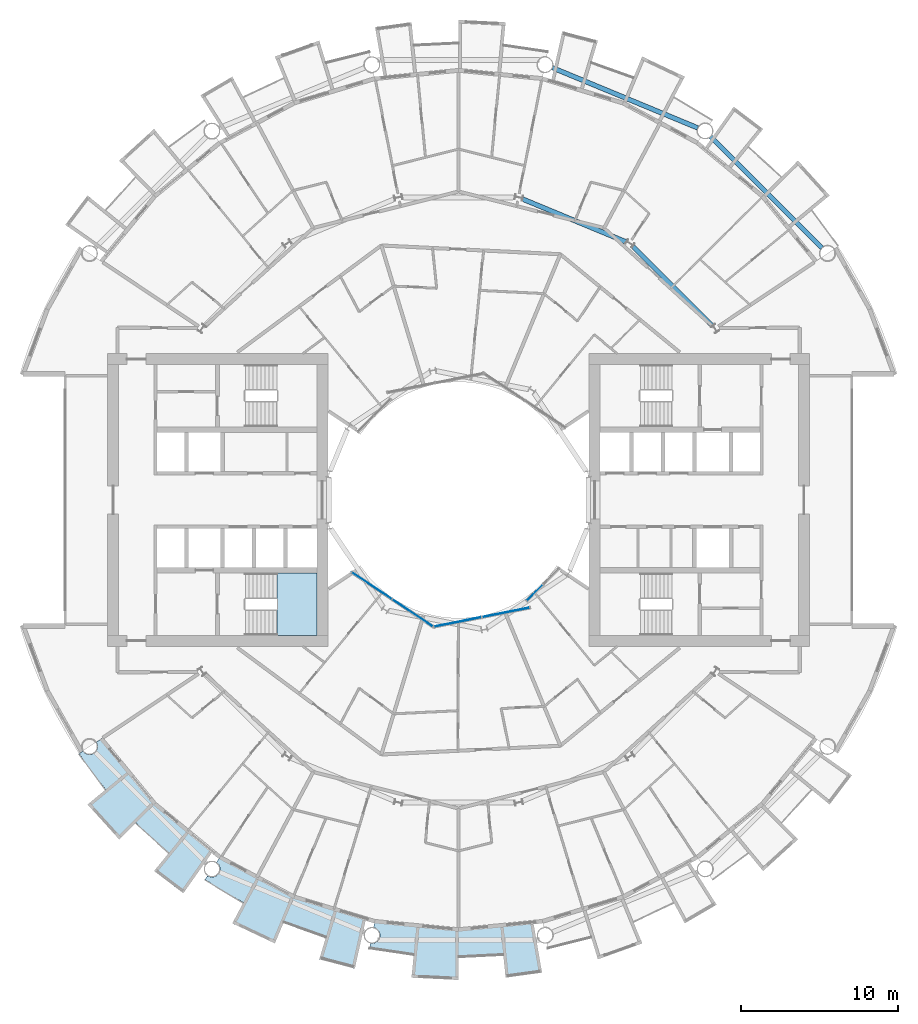
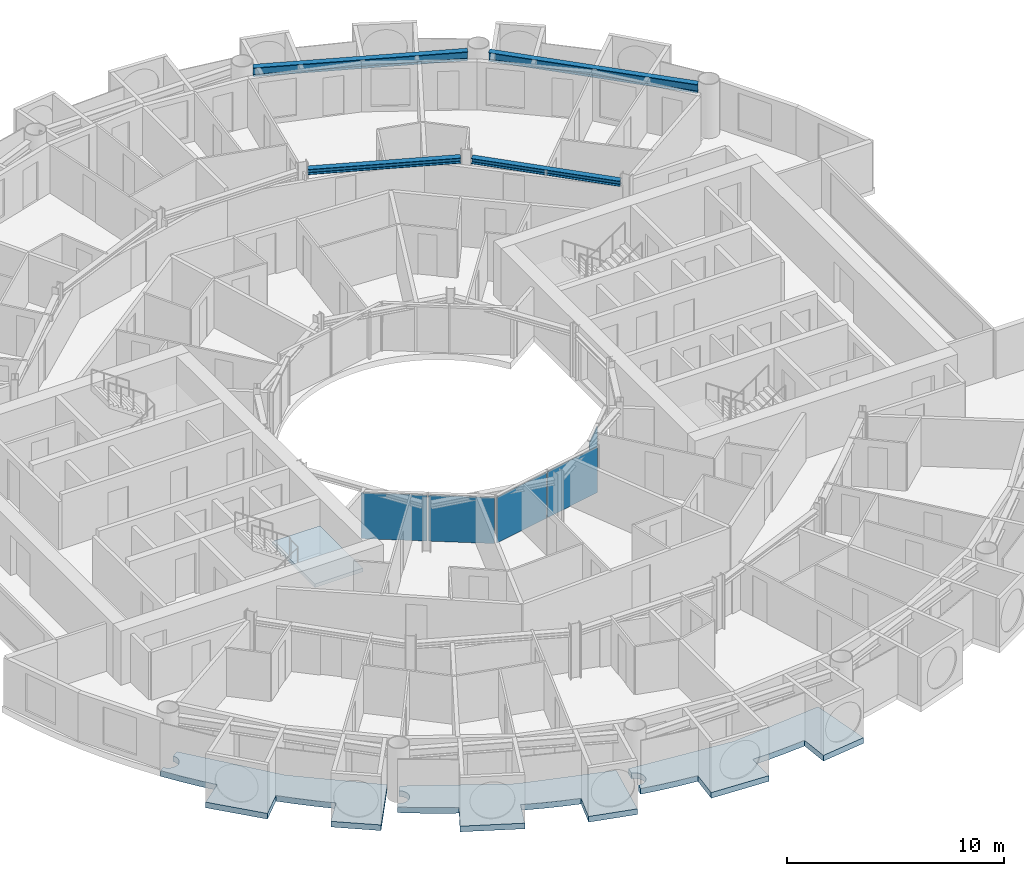
# One storey, part 9 of 26: 5 plates, 4 beams, 4 slabs, 4 elements without a shape of their own.
"""IFC4 building model written with IfcOpenShell, lengths in metres."""

from ifc_helpers import new_model, si_unit, direction, frame, origin, origin_2d, place, context, subcontext, project, spatial, polyline, rectangle, i_section, outline, extrude, material, layer, layer_set, material_profile, profile_set, type_object, element, aggregate, save


model = new_model("IFC4")

# Units and contexts
model_context = context("Model", 3, precision=1e-05, world=origin(), true_north=direction((0.0, 1.0)))
body_context = subcontext(model_context, "Body", "Model", "MODEL_VIEW")
ifc_project = project(units=[si_unit("LENGTHUNIT", "METRE"), si_unit("AREAUNIT", "SQUARE_METRE"), si_unit("VOLUMEUNIT", "CUBIC_METRE"), si_unit("PLANEANGLEUNIT", "RADIAN"), si_unit("MASSUNIT", "GRAM", prefix="KILO")], contexts=[model_context])

# Site, building, storey
site_placement = place(None, origin())
site = spatial("IfcSite", under=ifc_project, at=site_placement, CompositionType="ELEMENT")
building_placement = place(site_placement, origin())
building = spatial("IfcBuilding", under=site, at=building_placement, Name="Maasbend Ring Residences", CompositionType="ELEMENT")
storey_placement = place(building_placement, frame((0.0, 0.0, 81.89990234375)))
storey = spatial("IfcBuildingStorey", under=building, at=storey_placement, Name="L23", CompositionType="ELEMENT", Elevation=81.89990234375)

# Beams
ifc_material_1 = material(Name="Steel S355J2", Category="steel")
ifc_material_profile_1 = material_profile(ifc_material_1, i_section(OverallWidth=0.300048828125, OverallDepth=0.300048828125, WebThickness=0.010986328125, FlangeThickness=0.01904296875, FilletRadius=0.027099609375, at=origin_2d()), Name="HEB 300")
ifc_profile_set_1 = profile_set([ifc_material_profile_1], Name="Steel S355J2")
beam_type_1 = type_object("IfcBeamType", Name="Corridor ring beam HEB 300", PredefinedType="BEAM", material=ifc_profile_set_1)
for number, where, z_axis, x_axis, name in (
    (1, (16.10791015625, 11.078125, 2.550048828125), (-0.707106781187, 0.707106781187, 0.0), (-0.707106781187, -0.707106781187, 0.0), "Corridor ring beam"),
    (2, (10.642333984375, 16.39892578125, 2.550048828125), (-0.923877113721, 0.382689271788, 0.0), (-0.382689271788, -0.923877113721, 0.0), "Corridor ring beam"),
):
    element("IfcBeam", number, at=place(storey_placement, frame(where, z_axis=z_axis, x_axis=x_axis)), inside=storey, type_object=beam_type_1, Name=name, PredefinedType="BEAM", context=body_context, shape_type="SweptSolid", body=[
        extrude(i_section(OverallWidth=0.300048828125, OverallDepth=0.300048828125, WebThickness=0.010986328125, FlangeThickness=0.01904296875, FilletRadius=0.027099609375, at=origin_2d()), origin(), (0.0, 0.0, 1.0), 7.11328125),
    ])
ifc_material_2 = material(Name="Steel S355J2", Category="steel")
ifc_material_profile_2 = material_profile(ifc_material_2, i_section(OverallWidth=0.300048828125, OverallDepth=0.5, WebThickness=0.014404296875, FlangeThickness=0.028076171875, FilletRadius=0.027099609375, at=origin_2d()), Name="HEB 500")
ifc_profile_set_2 = profile_set([ifc_material_profile_2], Name="Steel S355J2")
beam_type_2 = type_object("IfcBeamType", Name="Spandrel ring beam HEB 500", PredefinedType="SPANDREL", material=ifc_profile_set_2)
beam_1_placement = place(storey_placement, frame((23.088134765625, 16.0263671875, 2.4501953125), z_axis=(-0.707106781187, 0.707106781187, 0.0), x_axis=(-0.707106781187, -0.707106781187, 0.0)))
element("IfcBeam", 3, at=beam_1_placement, inside=storey, type_object=beam_type_2, Name="Spandrel ring beam", PredefinedType="SPANDREL", context=body_context, shape_type="SweptSolid", body=[
    extrude(i_section(OverallWidth=0.300048828125, OverallDepth=0.5, WebThickness=0.014404296875, FlangeThickness=0.028076171875, FilletRadius=0.027099609375, at=origin_2d()), origin(), (0.0, 0.0, 1.0), 9.98681640625),
])
beam_2_placement = place(storey_placement, frame((15.19775390625, 23.641845703125, 2.4501953125), z_axis=(-0.923886337442, 0.382667003395, 0.0), x_axis=(-0.382667003395, -0.923886337442, 0.0)))
element("IfcBeam", 4, at=beam_2_placement, inside=storey, type_object=beam_type_2, Name="Spandrel ring beam", PredefinedType="SPANDREL", context=body_context, shape_type="SweptSolid", body=[
    extrude(i_section(OverallWidth=0.300048828125, OverallDepth=0.5, WebThickness=0.014404296875, FlangeThickness=0.028076171875, FilletRadius=0.027099609375, at=origin_2d()), origin(), (0.0, 0.0, 1.0), 9.9873046875),
])

# Stair, slab
ifc_material_3 = material(Name="Concrete C40/50", Category="concrete")
stair_type = type_object("IfcStairType", Name="CORE STAIR 18 RISERS", PredefinedType="HALF_TURN_STAIR", material=ifc_material_3)
stair_placement = place(storey_placement, origin())
stair = element("IfcStair", 5, at=stair_placement, inside=storey, type_object=stair_type, Name="L23 Exit stair ST-W1", PredefinedType="HALF_TURN_STAIR")
ifc_material_4 = material(Name="Concrete C40/50", Category="concrete")
ifc_layer_1 = layer(ifc_material_4, 0.199951171875)
ifc_layer_set_1 = layer_set([ifc_layer_1], Name="Concrete C40/50")
slab_type_1 = type_object("IfcSlabType", Name="CORE STAIR LANDING 200", PredefinedType="LANDING", material=ifc_layer_set_1)
slab_1_placement = place(storey_placement, frame((0.0, 0.0, 1.3251953125)))
slab_1 = element("IfcSlab", 6, at=slab_1_placement, type_object=slab_type_1, Name="ST-W1 landing 1", PredefinedType="LANDING", context=body_context, shape_type="SweptSolid", body=[
    extrude(outline(polyline([(-11.550048828125, -8.60009765625), (-9.0, -8.60009765625), (-9.0, -4.64990234375), (-11.550048828125, -4.64990234375), (-11.550048828125, -8.60009765625)])), origin(), (0.0, 0.0, 1.0), 0.199951171875),
])
aggregate(stair, [slab_1])

# Curtain wall, plates
ifc_material_5 = material(Name="Aluminium and clear glass", Category="aluminium")
ifc_layer_2 = layer(ifc_material_5, 0.179931640625)
ifc_layer_set_2 = layer_set([ifc_layer_2], Name="CW-W")
curtain_wall_type = type_object("IfcCurtainWallType", Name="CW-W", PredefinedType="NOTDEFINED", material=ifc_layer_set_2)
curtain_wall_1_placement = place(storey_placement, origin())
curtain_wall_1 = element("IfcCurtainWall", 7, at=curtain_wall_1_placement, inside=storey, type_object=curtain_wall_type, Name="Well curtain wall S1", PredefinedType="NOTDEFINED")
ifc_material_6 = material(Name="Glass clear laminated", Category="glass")
ifc_layer_3 = layer(ifc_material_6, 0.031982421875)
ifc_layer_set_3 = layer_set([ifc_layer_3], Name="CWP-W")
plate_type = type_object("IfcPlateType", Name="CWP-W", PredefinedType="CURTAIN_PANEL", material=ifc_layer_set_3)
plate_1_placement = place(storey_placement, frame((-5.51123046875, -5.44580078125, 0.0), z_axis=(0.0, 0.0, 1.0), x_axis=(0.831469612303, -0.55557023302, 0.0)))
plate_1 = element("IfcPlate", 8, at=plate_1_placement, type_object=plate_type, Name="Glass panel well face", PredefinedType="CURTAIN_PANEL", context=body_context, shape_type="SweptSolid", body=[
    extrude(rectangle(XDim=3.053955078125, YDim=0.031982421875, at=origin_2d()), origin(), (0.0, 0.0, 1.0), 2.580078125),
])
plate_2_placement = place(storey_placement, frame((-2.922119140625, -7.17578125, 0.0), z_axis=(0.0, 0.0, 1.0), x_axis=(0.831469612303, -0.55557023302, 0.0)))
plate_2 = element("IfcPlate", 9, at=plate_2_placement, type_object=plate_type, Name="Glass panel well face", PredefinedType="CURTAIN_PANEL", context=body_context, shape_type="SweptSolid", body=[
    extrude(rectangle(XDim=3.053955078125, YDim=0.031982421875, at=origin_2d()), origin(), (0.0, 0.0, 1.0), 2.580078125),
])
aggregate(curtain_wall_1, [plate_1, plate_2])

curtain_wall_2_placement = place(storey_placement, origin())
curtain_wall_2 = element("IfcCurtainWall", 10, at=curtain_wall_2_placement, inside=storey, type_object=curtain_wall_type, Name="Well curtain wall S2", PredefinedType="NOTDEFINED")
plate_3_placement = place(storey_placement, frame((-0.04638671875, -7.747802734375, 0.0), z_axis=(0.0, 0.0, 1.0), x_axis=(0.980785280403, 0.195090322016, 0.0)))
plate_3 = element("IfcPlate", 11, at=plate_3_placement, type_object=plate_type, Name="Glass panel well face", PredefinedType="CURTAIN_PANEL", context=body_context, shape_type="SweptSolid", body=[
    extrude(rectangle(XDim=3.053955078125, YDim=0.031982421875, at=origin_2d()), origin(), (0.0, 0.0, 1.0), 2.580078125),
])
plate_4_placement = place(storey_placement, frame((3.0078125, -7.140380859375, 0.0), z_axis=(0.0, 0.0, 1.0), x_axis=(0.980785280403, 0.195090322016, 0.0)))
plate_4 = element("IfcPlate", 12, at=plate_4_placement, type_object=plate_type, Name="Glass panel well face", PredefinedType="CURTAIN_PANEL", context=body_context, shape_type="SweptSolid", body=[
    extrude(rectangle(XDim=3.053955078125, YDim=0.031982421875, at=origin_2d()), origin(), (0.0, 0.0, 1.0), 2.580078125),
])
aggregate(curtain_wall_2, [plate_3, plate_4])

# Curtain wall, plate
curtain_wall_3_placement = place(storey_placement, origin())
curtain_wall_3 = element("IfcCurtainWall", 13, at=curtain_wall_3_placement, inside=storey, type_object=curtain_wall_type, Name="Well curtain wall S3", PredefinedType="NOTDEFINED")
plate_5_placement = place(storey_placement, frame((4.84375, -5.89013671875, 0.0), z_axis=(0.0, 0.0, 1.0), x_axis=(0.707106781187, 0.707106781187, 0.0)))
plate_5 = element("IfcPlate", 14, at=plate_5_placement, type_object=plate_type, Name="Glass panel well face", PredefinedType="CURTAIN_PANEL", context=body_context, shape_type="SweptSolid", body=[
    extrude(rectangle(XDim=1.419677734375, YDim=0.031982421875, at=origin_2d()), origin(), (0.0, 0.0, 1.0), 2.580078125),
])
aggregate(curtain_wall_3, [plate_5])

# Slabs
ifc_material_7 = material(Name="Concrete C40/50", Category="concrete")
ifc_layer_4 = layer(ifc_material_7, 0.199951171875)
ifc_layer_set_4 = layer_set([ifc_layer_4], Name="Concrete C40/50")
slab_type_2 = type_object("IfcSlabType", Name="SL-LOGGIA", PredefinedType="FLOOR", material=ifc_layer_set_4)
slab_2_placement = place(storey_placement, frame((0.0, 0.0, -0.349853515625)))
element("IfcSlab", 15, at=slab_2_placement, inside=storey, type_object=slab_type_2, Name="Loggia floor 1", PredefinedType="FLOOR", context=body_context, shape_type="SweptSolid", body=[
    extrude(outline(polyline([(-15.9169921875, -23.888916015625), (-15.906982421875, -23.89501953125), (-15.89599609375, -23.90087890625), (-15.884033203125, -23.906982421875), (-15.873046875, -23.912109375), (-15.862060546875, -23.9169921875), (-15.85009765625, -23.9208984375), (-15.837890625, -23.926025390625), (-15.825927734375, -23.929931640625), (-15.81494140625, -23.93408203125), (-15.802978515625, -23.93701171875), (-15.791015625, -23.93994140625), (-15.778076171875, -23.943115234375), (-15.76611328125, -23.946044921875), (-15.75390625, -23.947998046875), (-15.741943359375, -23.949951171875), (-15.72900390625, -23.951904296875), (-15.717041015625, -23.952880859375), (-15.7041015625, -23.9541015625), (-15.69189453125, -23.955078125), (-15.679931640625, -23.955078125), (-15.6669921875, -23.955078125), (-15.655029296875, -23.955078125), (-15.64208984375, -23.955078125), (-15.6298828125, -23.9541015625), (-15.616943359375, -23.952880859375), (-15.60498046875, -23.951904296875), (-15.593017578125, -23.949951171875), (-15.580078125, -23.947998046875), (-15.568115234375, -23.946044921875), (-15.555908203125, -23.943115234375), (-15.5439453125, -23.93994140625), (-15.531982421875, -23.93701171875), (-15.52001953125, -23.93408203125), (-15.508056640625, -23.929931640625), (-15.49609375, -23.926025390625), (-15.48388671875, -23.9208984375), (-15.472900390625, -23.9169921875), (-15.4609375, -23.912109375), (-15.449951171875, -23.906982421875), (-15.43896484375, -23.90087890625), (-15.427978515625, -23.89501953125), (-15.4169921875, -23.888916015625), (-15.406005859375, -23.883056640625), (-15.39501953125, -23.876953125), (-15.385009765625, -23.8701171875), (-15.375, -23.863037109375), (-15.364013671875, -23.85498046875), (-15.35498046875, -23.847900390625), (-15.344970703125, -23.840087890625), (-15.3349609375, -23.83203125), (-15.325927734375, -23.823974609375), (-15.31689453125, -23.81494140625), (-15.30810546875, -23.806884765625), (-15.299072265625, -23.798095703125), (-15.291015625, -23.7890625), (-15.281982421875, -23.779052734375), (-15.27392578125, -23.77001953125), (-15.26708984375, -23.760009765625), (-15.259033203125, -23.75), (-15.251953125, -23.739990234375), (-15.2451171875, -23.72998046875), (-15.238037109375, -23.718994140625), (-15.23095703125, -23.708984375), (-15.22509765625, -23.697998046875), (-15.218994140625, -23.68701171875), (-15.212890625, -23.676025390625), (-15.2080078125, -23.6650390625), (-15.202880859375, -23.653076171875), (-15.197998046875, -23.64208984375), (-15.193115234375, -23.6298828125), (-15.18896484375, -23.618896484375), (-15.18505859375, -23.60693359375), (-15.180908203125, -23.594970703125), (-15.177978515625, -23.5830078125), (-15.174072265625, -23.571044921875), (-15.1708984375, -23.55908203125), (-15.1689453125, -23.547119140625), (-15.1669921875, -23.533935546875), (-15.1650390625, -23.52197265625), (-15.1630859375, -23.510009765625), (-15.162109375, -23.4970703125), (-15.159912109375, -23.485107421875), (-15.159912109375, -23.471923828125), (-15.158935546875, -23.4599609375), (-15.158935546875, -23.447021484375), (-15.158935546875, -23.43505859375), (-15.159912109375, -23.422119140625), (-15.159912109375, -23.409912109375), (-15.162109375, -23.39794921875), (-15.1630859375, -23.385009765625), (-15.1650390625, -23.373046875), (-15.1669921875, -23.361083984375), (-15.1689453125, -23.347900390625), (-15.1708984375, -23.3359375), (-15.174072265625, -23.323974609375), (-15.177978515625, -23.31201171875), (-15.180908203125, -23.300048828125), (-15.18505859375, -23.2880859375), (-15.18896484375, -23.27587890625), (-15.193115234375, -23.264892578125), (-15.197998046875, -23.2529296875), (-15.202880859375, -23.241943359375), (-15.2080078125, -23.22998046875), (-15.212890625, -23.218994140625), (-15.218994140625, -23.2080078125), (-15.22509765625, -23.197021484375), (-15.23095703125, -23.18603515625), (-15.238037109375, -23.176025390625), (-15.2451171875, -23.1650390625), (-15.251953125, -23.155029296875), (-15.259033203125, -23.14501953125), (-15.26708984375, -23.135009765625), (-15.27392578125, -23.125), (-15.281982421875, -23.115966796875), (-15.291015625, -23.10595703125), (-15.299072265625, -23.096923828125), (-15.30810546875, -23.087890625), (-15.31689453125, -23.0791015625), (-15.325927734375, -23.071044921875), (-15.3349609375, -23.06298828125), (-15.344970703125, -23.054931640625), (-15.35498046875, -23.047119140625), (-15.364013671875, -23.0390625), (-15.375, -23.031982421875), (-15.385009765625, -23.02490234375), (-15.1669921875, -22.698974609375), (-15.1669921875, -22.698974609375), (-15.1669921875, -22.698974609375), (-12.806884765625, -23.9609375), (-10.447021484375, -25.221923828125), (-10.447021484375, -25.221923828125), (-10.447021484375, -25.221923828125), (-7.886962890625, -25.9990234375), (-5.89111328125, -26.60400390625), (-5.89111328125, -26.60400390625), (-5.89111328125, -26.60400390625), (-6.593994140625, -29.779052734375), (-6.593994140625, -29.779052734375), (-6.593994140625, -29.779052734375), (-8.85400390625, -29.18701171875), (-8.85400390625, -29.18701171875), (-8.85400390625, -29.18701171875), (-8.41796875, -27.751953125), (-8.41796875, -27.751953125), (-8.41796875, -27.751953125), (-8.41796875, -27.751953125), (-8.41796875, -27.751953125), (-8.41796875, -27.751953125), (-8.41796875, -27.7509765625), (-8.41796875, -27.7509765625), (-8.41796875, -27.7509765625), (-8.41796875, -27.7509765625), (-8.41796875, -27.7509765625), (-8.4189453125, -27.7509765625), (-8.4189453125, -27.7509765625), (-8.4189453125, -27.7509765625), (-8.4189453125, -27.7509765625), (-8.4189453125, -27.7509765625), (-8.4189453125, -27.7509765625), (-9.322021484375, -27.4609375), (-9.322021484375, -27.4609375), (-10.215087890625, -27.14111328125), (-10.215087890625, -27.14111328125), (-11.096923828125, -26.79296875), (-11.096923828125, -26.79296875), (-11.096923828125, -26.79296875), (-11.097900390625, -26.79296875), (-11.097900390625, -26.79296875), (-11.097900390625, -26.79296875), (-11.097900390625, -26.79296875), (-11.097900390625, -26.79296875), (-11.097900390625, -26.79296875), (-11.097900390625, -26.79296875), (-11.097900390625, -26.79296875), (-11.097900390625, -26.79296875), (-11.097900390625, -26.79296875), (-11.097900390625, -26.79296875), (-11.097900390625, -26.79296875), (-11.097900390625, -26.79296875), (-11.097900390625, -26.79296875), (-11.672119140625, -28.177978515625), (-11.672119140625, -28.177978515625), (-11.672119140625, -28.177978515625), (-14.3779296875, -26.89892578125), (-14.3779296875, -26.89892578125), (-14.3779296875, -26.89892578125), (-13.6708984375, -25.575927734375), (-13.6708984375, -25.575927734375), (-13.6708984375, -25.575927734375), (-13.6708984375, -25.575927734375), (-13.6708984375, -25.575927734375), (-13.6708984375, -25.575927734375), (-13.6708984375, -25.575927734375), (-13.6708984375, -25.575927734375), (-13.6708984375, -25.575927734375), (-13.6708984375, -25.575927734375), (-13.6708984375, -25.575927734375), (-13.6708984375, -25.575927734375), (-13.6708984375, -25.575927734375), (-13.6708984375, -25.575927734375), (-13.6708984375, -25.575927734375), (-13.6708984375, -25.575927734375), (-13.6708984375, -25.574951171875), (-14.5, -25.114990234375), (-14.5, -25.114990234375), (-15.31396484375, -24.626953125), (-15.31396484375, -24.626953125), (-16.112060546875, -24.113037109375), (-16.112060546875, -24.113037109375), (-16.112060546875, -24.113037109375), (-15.948974609375, -23.8701171875), (-15.93896484375, -23.876953125), (-15.927978515625, -23.883056640625), (-15.9169921875, -23.888916015625)])), origin(), (0.0, 0.0, 1.0), 0.320068359375),
])
slab_3_placement = place(storey_placement, frame((0.0, 0.0, -0.349853515625)))
element("IfcSlab", 16, at=slab_3_placement, inside=storey, type_object=slab_type_2, Name="Loggia floor 3", PredefinedType="FLOOR", context=body_context, shape_type="SweptSolid", body=[
    extrude(outline(polyline([(-2.6630859375, -27.0380859375), (0.0, -27.300048828125), (0.0, -27.300048828125), (0.0, -27.300048828125), (2.6630859375, -27.0380859375), (4.739013671875, -26.8330078125), (4.739013671875, -26.8330078125), (4.739013671875, -26.8330078125), (5.303955078125, -30.034912109375), (5.303955078125, -30.034912109375), (5.303955078125, -30.034912109375), (2.989990234375, -30.35302734375), (2.989990234375, -30.35302734375), (2.989990234375, -30.35302734375), (2.843017578125, -28.861083984375), (2.843017578125, -28.861083984375), (2.843017578125, -28.861083984375), (2.843017578125, -28.861083984375), (2.842041015625, -28.861083984375), (2.842041015625, -28.861083984375), (2.842041015625, -28.861083984375), (2.842041015625, -28.861083984375), (2.842041015625, -28.861083984375), (2.842041015625, -28.860107421875), (2.842041015625, -28.860107421875), (2.842041015625, -28.860107421875), (2.842041015625, -28.860107421875), (2.842041015625, -28.860107421875), (2.842041015625, -28.860107421875), (2.842041015625, -28.860107421875), (2.842041015625, -28.860107421875), (1.89697265625, -28.93798828125), (1.89697265625, -28.93798828125), (0.948974609375, -28.98388671875), (0.948974609375, -28.98388671875), (0.0, -29.0), (0.0, -29.0), (0.0, -29.0), (0.0, -29.0), (0.0, -29.0), (0.0, -29.0), (0.0, -29.0), (0.0, -29.0), (0.0, -29.0), (0.0, -29.0), (0.0, -29.0), (0.0, -29.0), (0.0, -29.0), (0.0, -29.0), (0.0, -29.0), (0.0, -29.0), (0.0, -29.0), (0.0, -30.5), (0.0, -30.5), (0.0, -30.5), (-2.989990234375, -30.35302734375), (-2.989990234375, -30.35302734375), (-2.989990234375, -30.35302734375), (-2.843017578125, -28.861083984375), (-2.843017578125, -28.861083984375), (-2.843017578125, -28.861083984375), (-2.843017578125, -28.861083984375), (-2.843017578125, -28.861083984375), (-2.843017578125, -28.861083984375), (-2.843017578125, -28.861083984375), (-2.843017578125, -28.861083984375), (-2.843017578125, -28.860107421875), (-2.843017578125, -28.860107421875), (-2.843017578125, -28.860107421875), (-2.843017578125, -28.860107421875), (-2.843017578125, -28.860107421875), (-2.843017578125, -28.860107421875), (-2.843017578125, -28.860107421875), (-2.843017578125, -28.860107421875), (-2.843017578125, -28.860107421875), (-3.784912109375, -28.751953125), (-3.784912109375, -28.751953125), (-4.72412109375, -28.613037109375), (-4.72412109375, -28.613037109375), (-5.657958984375, -28.443115234375), (-5.657958984375, -28.443115234375), (-5.657958984375, -28.443115234375), (-5.60107421875, -28.156005859375), (-5.60107421875, -28.156005859375), (-5.587890625, -28.158935546875), (-5.575927734375, -28.160888671875), (-5.56396484375, -28.162109375), (-5.551025390625, -28.1640625), (-5.5390625, -28.1650390625), (-5.52587890625, -28.1650390625), (-5.513916015625, -28.166015625), (-5.501953125, -28.166015625), (-5.489013671875, -28.166015625), (-5.47705078125, -28.1650390625), (-5.464111328125, -28.1650390625), (-5.451904296875, -28.1640625), (-5.43896484375, -28.162109375), (-5.427001953125, -28.160888671875), (-5.4150390625, -28.158935546875), (-5.402099609375, -28.156005859375), (-5.389892578125, -28.154052734375), (-5.3779296875, -28.15087890625), (-5.365966796875, -28.14794921875), (-5.35400390625, -28.14404296875), (-5.342041015625, -28.139892578125), (-5.330078125, -28.135986328125), (-5.319091796875, -28.132080078125), (-5.306884765625, -28.126953125), (-5.2958984375, -28.123046875), (-5.283935546875, -28.116943359375), (-5.27294921875, -28.112060546875), (-5.261962890625, -28.10595703125), (-5.2509765625, -28.10009765625), (-5.239990234375, -28.093994140625), (-5.22998046875, -28.0869140625), (-5.218994140625, -28.080078125), (-5.208984375, -28.072998046875), (-5.198974609375, -28.06591796875), (-5.18896484375, -28.05908203125), (-5.178955078125, -28.051025390625), (-5.169921875, -28.04296875), (-5.159912109375, -28.034912109375), (-5.15087890625, -28.02587890625), (-5.14208984375, -28.01708984375), (-5.134033203125, -28.008056640625), (-5.125, -27.9990234375), (-5.116943359375, -27.989990234375), (-5.10888671875, -27.97998046875), (-5.10107421875, -27.970947265625), (-5.093017578125, -27.9609375), (-5.0859375, -27.950927734375), (-5.0791015625, -27.93994140625), (-5.072021484375, -27.929931640625), (-5.06591796875, -27.9189453125), (-5.05908203125, -27.907958984375), (-5.052978515625, -27.89794921875), (-5.048095703125, -27.886962890625), (-5.0419921875, -27.875), (-5.037109375, -27.864013671875), (-5.031982421875, -27.85302734375), (-5.028076171875, -27.841064453125), (-5.02294921875, -27.8291015625), (-5.01904296875, -27.81689453125), (-5.014892578125, -27.805908203125), (-5.011962890625, -27.7939453125), (-5.009033203125, -27.781982421875), (-5.006103515625, -27.76904296875), (-5.0029296875, -27.757080078125), (-5.0009765625, -27.7451171875), (-4.9990234375, -27.73291015625), (-4.9970703125, -27.719970703125), (-4.99609375, -27.7080078125), (-4.9951171875, -27.695068359375), (-4.993896484375, -27.68310546875), (-4.993896484375, -27.6708984375), (-4.993896484375, -27.657958984375), (-4.993896484375, -27.64599609375), (-4.993896484375, -27.633056640625), (-4.9951171875, -27.62109375), (-4.99609375, -27.60791015625), (-4.9970703125, -27.595947265625), (-4.9990234375, -27.583984375), (-5.0009765625, -27.571044921875), (-5.0029296875, -27.55908203125), (-5.006103515625, -27.547119140625), (-5.009033203125, -27.534912109375), (-5.011962890625, -27.52294921875), (-5.014892578125, -27.510986328125), (-5.01904296875, -27.4990234375), (-5.02294921875, -27.487060546875), (-5.028076171875, -27.47509765625), (-5.031982421875, -27.464111328125), (-5.037109375, -27.451904296875), (-5.0419921875, -27.44091796875), (-5.048095703125, -27.429931640625), (-5.052978515625, -27.4189453125), (-5.05908203125, -27.407958984375), (-5.06591796875, -27.39697265625), (-5.072021484375, -27.385986328125), (-5.0791015625, -27.3759765625), (-5.0859375, -27.365966796875), (-5.093017578125, -27.35498046875), (-5.10107421875, -27.345947265625), (-5.10888671875, -27.3359375), (-5.116943359375, -27.325927734375), (-5.125, -27.31689453125), (-5.134033203125, -27.30810546875), (-5.14208984375, -27.299072265625), (-5.15087890625, -27.2900390625), (-5.159912109375, -27.281982421875), (-5.169921875, -27.27294921875), (-5.178955078125, -27.264892578125), (-5.18896484375, -27.258056640625), (-5.198974609375, -27.25), (-5.208984375, -27.242919921875), (-5.218994140625, -27.236083984375), (-5.22998046875, -27.22900390625), (-5.239990234375, -27.221923828125), (-5.2509765625, -27.216064453125), (-5.261962890625, -27.2099609375), (-5.27294921875, -27.2041015625), (-5.283935546875, -27.198974609375), (-5.2958984375, -27.194091796875), (-5.306884765625, -27.18896484375), (-5.319091796875, -27.18408203125), (-5.330078125, -27.179931640625), (-5.342041015625, -27.176025390625), (-5.35400390625, -27.172119140625), (-5.365966796875, -27.1689453125), (-5.3779296875, -27.1650390625), (-5.389892578125, -27.162109375), (-5.402099609375, -27.159912109375), (-5.402099609375, -27.159912109375), (-5.325927734375, -26.77490234375), (-5.325927734375, -26.77490234375), (-5.325927734375, -26.77490234375), (-2.6630859375, -27.0380859375)])), origin(), (0.0, 0.0, 1.0), 0.320068359375),
])
slab_4_placement = place(storey_placement, frame((0.0, 0.0, -0.349853515625)))
element("IfcSlab", 17, at=slab_4_placement, inside=storey, type_object=slab_type_2, Name="Loggia floor 4", PredefinedType="FLOOR", context=body_context, shape_type="SweptSolid", body=[
    extrude(outline(polyline([(-23.85498046875, -15.969970703125), (-23.847900390625, -15.97998046875), (-23.840087890625, -15.989013671875), (-23.83203125, -15.9990234375), (-23.823974609375, -16.008056640625), (-23.81494140625, -16.01708984375), (-23.806884765625, -16.02587890625), (-23.798095703125, -16.034912109375), (-23.7890625, -16.0439453125), (-23.779052734375, -16.052001953125), (-23.77001953125, -16.06005859375), (-23.760009765625, -16.068115234375), (-23.75, -16.074951171875), (-23.739990234375, -16.08203125), (-23.72998046875, -16.089111328125), (-23.718994140625, -16.095947265625), (-23.708984375, -16.10302734375), (-23.697998046875, -16.10888671875), (-23.68701171875, -16.114990234375), (-23.676025390625, -16.12109375), (-23.6650390625, -16.1259765625), (-23.653076171875, -16.132080078125), (-23.64208984375, -16.135986328125), (-23.6298828125, -16.14111328125), (-23.618896484375, -16.14501953125), (-23.60693359375, -16.14892578125), (-23.594970703125, -16.153076171875), (-23.5830078125, -16.156982421875), (-23.571044921875, -16.159912109375), (-23.55908203125, -16.1630859375), (-23.547119140625, -16.1650390625), (-23.533935546875, -16.16796875), (-23.52197265625, -16.169921875), (-23.510009765625, -16.1708984375), (-23.4970703125, -16.173095703125), (-23.485107421875, -16.174072265625), (-23.471923828125, -16.174072265625), (-23.4599609375, -16.175048828125), (-23.447021484375, -16.175048828125), (-23.43505859375, -16.175048828125), (-23.422119140625, -16.174072265625), (-23.409912109375, -16.174072265625), (-23.39794921875, -16.173095703125), (-23.385009765625, -16.1708984375), (-23.373046875, -16.169921875), (-23.361083984375, -16.16796875), (-23.347900390625, -16.1650390625), (-23.3359375, -16.1630859375), (-23.323974609375, -16.159912109375), (-23.31201171875, -16.156982421875), (-23.300048828125, -16.153076171875), (-23.2880859375, -16.14892578125), (-23.27587890625, -16.14501953125), (-23.264892578125, -16.14111328125), (-23.2529296875, -16.135986328125), (-23.241943359375, -16.132080078125), (-23.22998046875, -16.1259765625), (-23.218994140625, -16.12109375), (-23.2080078125, -16.114990234375), (-23.197021484375, -16.10888671875), (-23.18603515625, -16.10302734375), (-23.176025390625, -16.095947265625), (-23.1650390625, -16.089111328125), (-23.155029296875, -16.08203125), (-23.14501953125, -16.074951171875), (-23.135009765625, -16.068115234375), (-23.125, -16.06005859375), (-23.115966796875, -16.052001953125), (-23.10595703125, -16.0439453125), (-23.096923828125, -16.034912109375), (-23.087890625, -16.02587890625), (-23.0791015625, -16.01708984375), (-23.071044921875, -16.008056640625), (-23.06298828125, -15.9990234375), (-23.054931640625, -15.989013671875), (-23.047119140625, -15.97998046875), (-23.0390625, -15.969970703125), (-23.031982421875, -15.9599609375), (-23.02490234375, -15.948974609375), (-23.01806640625, -15.93896484375), (-23.011962890625, -15.927978515625), (-23.0048828125, -15.9169921875), (-22.9990234375, -15.906982421875), (-22.993896484375, -15.89599609375), (-22.988037109375, -15.884033203125), (-22.98291015625, -15.873046875), (-22.97802734375, -15.862060546875), (-22.972900390625, -15.85009765625), (-22.968994140625, -15.837890625), (-22.965087890625, -15.825927734375), (-22.9609375, -15.81494140625), (-22.9580078125, -15.802978515625), (-22.955078125, -15.791015625), (-22.951904296875, -15.778076171875), (-22.948974609375, -15.76611328125), (-22.947021484375, -15.75390625), (-22.945068359375, -15.741943359375), (-22.943115234375, -15.72900390625), (-22.94189453125, -15.717041015625), (-22.94091796875, -15.7041015625), (-22.93994140625, -15.69189453125), (-22.93994140625, -15.679931640625), (-22.93896484375, -15.6669921875), (-22.93994140625, -15.655029296875), (-22.93994140625, -15.64208984375), (-22.94091796875, -15.6298828125), (-22.94189453125, -15.616943359375), (-22.943115234375, -15.60498046875), (-22.945068359375, -15.593017578125), (-22.947021484375, -15.580078125), (-22.948974609375, -15.568115234375), (-22.951904296875, -15.555908203125), (-22.955078125, -15.5439453125), (-22.9580078125, -15.531982421875), (-22.9609375, -15.52001953125), (-22.965087890625, -15.508056640625), (-22.968994140625, -15.49609375), (-22.972900390625, -15.48388671875), (-22.97802734375, -15.472900390625), (-22.98291015625, -15.4609375), (-22.988037109375, -15.449951171875), (-22.993896484375, -15.43896484375), (-22.9990234375, -15.427978515625), (-23.0048828125, -15.4169921875), (-23.011962890625, -15.406005859375), (-23.01806640625, -15.39501953125), (-23.02490234375, -15.385009765625), (-23.02490234375, -15.385009765625), (-22.698974609375, -15.1669921875), (-22.698974609375, -15.1669921875), (-22.698974609375, -15.1669921875), (-21.001953125, -17.236083984375), (-19.303955078125, -19.303955078125), (-19.303955078125, -19.303955078125), (-19.303955078125, -19.303955078125), (-17.236083984375, -21.001953125), (-15.623046875, -22.324951171875), (-15.623046875, -22.324951171875), (-15.623046875, -22.324951171875), (-17.488037109375, -24.989013671875), (-17.488037109375, -24.989013671875), (-17.488037109375, -24.989013671875), (-19.34912109375, -23.576904296875), (-19.34912109375, -23.576904296875), (-19.34912109375, -23.576904296875), (-18.39794921875, -22.41796875), (-18.39794921875, -22.41796875), (-18.39794921875, -22.41796875), (-18.39794921875, -22.41796875), (-18.39794921875, -22.41796875), (-18.39794921875, -22.4169921875), (-18.39794921875, -22.4169921875), (-18.39794921875, -22.4169921875), (-18.39794921875, -22.4169921875), (-18.39794921875, -22.4169921875), (-18.39794921875, -22.4169921875), (-18.39794921875, -22.4169921875), (-18.39794921875, -22.4169921875), (-18.39794921875, -22.4169921875), (-18.39794921875, -22.4169921875), (-18.39794921875, -22.4169921875), (-18.39794921875, -22.4169921875), (-19.12109375, -21.802978515625), (-19.12109375, -21.802978515625), (-19.823974609375, -21.166015625), (-19.823974609375, -21.166015625), (-20.506103515625, -20.506103515625), (-20.506103515625, -20.506103515625), (-20.506103515625, -20.506103515625), (-20.506103515625, -20.506103515625), (-20.506103515625, -20.506103515625), (-20.506103515625, -20.506103515625), (-20.506103515625, -20.506103515625), (-20.506103515625, -20.506103515625), (-20.506103515625, -20.506103515625), (-20.506103515625, -20.506103515625), (-20.506103515625, -20.506103515625), (-20.506103515625, -20.506103515625), (-20.506103515625, -20.506103515625), (-20.506103515625, -20.506103515625), (-20.506103515625, -20.506103515625), (-20.506103515625, -20.506103515625), (-20.506103515625, -20.506103515625), (-21.56689453125, -21.56689453125), (-21.56689453125, -21.56689453125), (-21.56689453125, -21.56689453125), (-23.576904296875, -19.34912109375), (-23.576904296875, -19.34912109375), (-23.576904296875, -19.34912109375), (-22.41796875, -18.39794921875), (-22.41796875, -18.39794921875), (-22.41796875, -18.39794921875), (-22.41796875, -18.39794921875), (-22.41796875, -18.39794921875), (-22.41796875, -18.39794921875), (-22.41796875, -18.39697265625), (-22.41796875, -18.39697265625), (-22.41796875, -18.39697265625), (-22.41796875, -18.39697265625), (-22.41796875, -18.39697265625), (-22.41796875, -18.39697265625), (-22.41796875, -18.39697265625), (-22.41796875, -18.39697265625), (-22.41796875, -18.39697265625), (-22.41796875, -18.39697265625), (-22.41796875, -18.39697265625), (-23.007080078125, -17.654052734375), (-23.007080078125, -17.654052734375), (-23.572998046875, -16.89208984375), (-23.572998046875, -16.89208984375), (-24.113037109375, -16.112060546875), (-24.113037109375, -16.112060546875), (-24.113037109375, -16.112060546875), (-23.8701171875, -15.948974609375), (-23.8701171875, -15.948974609375), (-23.863037109375, -15.9599609375), (-23.85498046875, -15.969970703125)])), origin(), (0.0, 0.0, 1.0), 0.320068359375),
])

save(model, "model.ifc")
